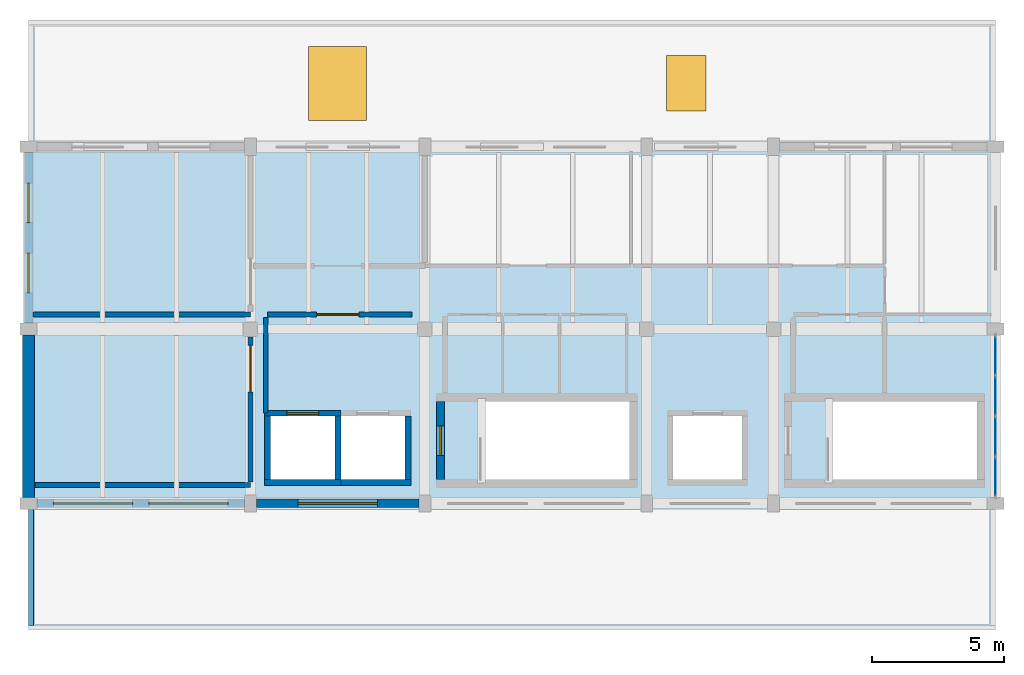
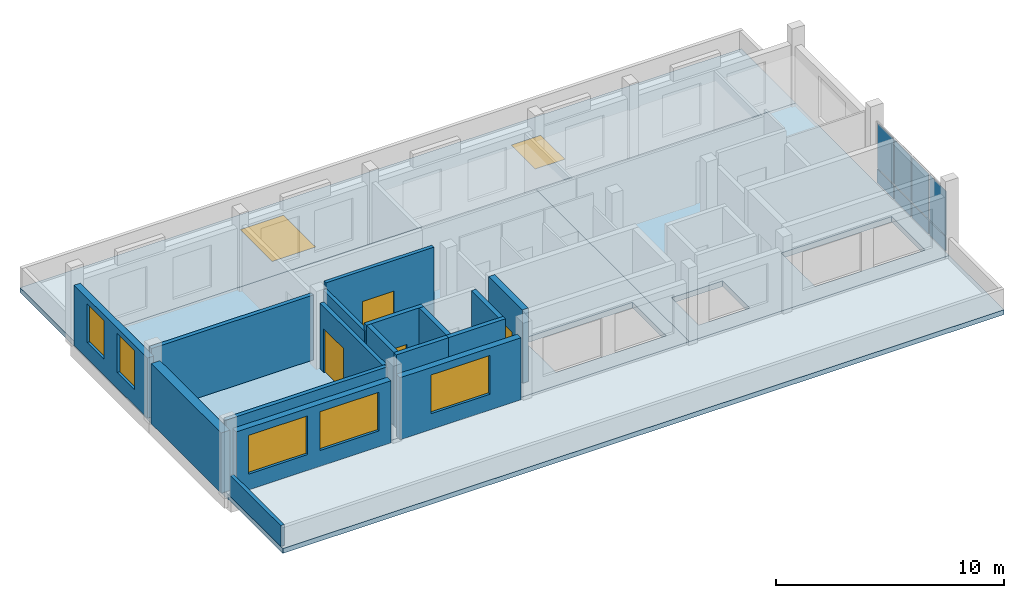
# One storey, part 3 of 6: 17 walls, 8 plates, 7 windows, 4 doors, 4 slabs, 11 openings, 1 element without a shape of its own.
"""IFC4 building model written with IfcOpenShell, lengths in metres."""

from ifc_helpers import new_model, si_unit, direction, frame, frame_2d, origin, origin_2d, place, context, subcontext, project, spatial, polyline, rectangle, outline, extrude, material, layer, layer_set, type_object, element, fill, aggregate, save


model = new_model("IFC4")

# Units and contexts
model_context = context("Model", 3, precision=1e-05, world=origin(), true_north=direction((0.0, 1.0)))
body_context = subcontext(model_context, "Body", "Model", "MODEL_VIEW")
ifc_project = project(units=[si_unit("LENGTHUNIT", "METRE"), si_unit("AREAUNIT", "SQUARE_METRE"), si_unit("VOLUMEUNIT", "CUBIC_METRE"), si_unit("PLANEANGLEUNIT", "RADIAN"), si_unit("MASSUNIT", "GRAM", prefix="KILO")], contexts=[model_context])

# Site, building, storey
site_placement = place(None, origin())
site = spatial("IfcSite", under=ifc_project, at=site_placement, CompositionType="ELEMENT")
building_placement = place(site_placement, origin())
building = spatial("IfcBuilding", under=site, at=building_placement, Name="Dornvale Research Institute", CompositionType="ELEMENT")
storey_placement = place(building_placement, frame((0.0, 0.0, 46.800048828125)))
storey = spatial("IfcBuildingStorey", under=building, at=storey_placement, Name="L10", CompositionType="ELEMENT", Elevation=46.800048828125)

# Curtain wall, plates
ifc_material_1 = material(Name="Low-E Argon Double Insulating Glazing Unit", Category="glass")
curtain_wall_type = type_object("IfcCurtainWallType", Name="UnitisedCurtainWall_V5_6150x3350", PredefinedType="USERDEFINED", material=ifc_material_1)
curtain_wall_placement = place(storey_placement, origin())
curtain_wall = element("IfcCurtainWall", 1, at=curtain_wall_placement, inside=storey, type_object=curtain_wall_type, Name="L10 V5 unitised curtain wall CW-34 #202", ObjectType="UNITISED CURTAIN WALL", PredefinedType="USERDEFINED")
ifc_material_2 = material(Name="Insulated Ceramic-Frit Spandrel Glass Panel", Category="glass")
ifc_layer_1 = layer(ifc_material_2, 0.0419921875)
ifc_layer_set_1 = layer_set([ifc_layer_1], Name="Insulated Ceramic-Frit Spandrel Glass Panel")
plate_type_1 = type_object("IfcPlateType", Name="CurtainPanel_Spandrel_42", PredefinedType="CURTAIN_PANEL", material=ifc_layer_set_1)
plate_1_placement = place(storey_placement, frame((41.39990234375, 109.389892578125, 0.06494140625), z_axis=(0.0, 0.0, 1.0), x_axis=(0.0, -1.0, 0.0)))
plate_1 = element("IfcPlate", 2, at=plate_1_placement, type_object=plate_type_1, Name="CW-34 panel 1.1", PredefinedType="CURTAIN_PANEL", context=body_context, shape_type="SweptSolid", body=[
    extrude(rectangle(XDim=1.43994140625, YDim=0.0419921875, at=origin_2d()), origin(), (0.0, 0.0, 1.0), 0.75244140625),
])
plate_2_placement = place(storey_placement, frame((41.39990234375, 107.86865234375, 0.06494140625), z_axis=(0.0, 0.0, 1.0), x_axis=(0.0, -1.0, 0.0)))
plate_2 = element("IfcPlate", 3, at=plate_2_placement, type_object=plate_type_1, Name="CW-34 panel 2.1", PredefinedType="CURTAIN_PANEL", context=body_context, shape_type="SweptSolid", body=[
    extrude(rectangle(XDim=1.472412109375, YDim=0.0419921875, at=origin_2d()), origin(), (0.0, 0.0, 1.0), 0.75244140625),
])
plate_3_placement = place(storey_placement, frame((41.39990234375, 106.331298828125, 0.06494140625), z_axis=(0.0, 0.0, 1.0), x_axis=(0.0, -1.0, 0.0)))
plate_3 = element("IfcPlate", 4, at=plate_3_placement, type_object=plate_type_1, Name="CW-34 panel 3.1", PredefinedType="CURTAIN_PANEL", context=body_context, shape_type="SweptSolid", body=[
    extrude(rectangle(XDim=1.472412109375, YDim=0.0419921875, at=origin_2d()), origin(), (0.0, 0.0, 1.0), 0.75244140625),
])
plate_4_placement = place(storey_placement, frame((41.39990234375, 104.81005859375, 0.06494140625), z_axis=(0.0, 0.0, 1.0), x_axis=(0.0, -1.0, 0.0)))
plate_4 = element("IfcPlate", 5, at=plate_4_placement, type_object=plate_type_1, Name="CW-34 panel 4.1", PredefinedType="CURTAIN_PANEL", context=body_context, shape_type="SweptSolid", body=[
    extrude(rectangle(XDim=1.43994140625, YDim=0.0419921875, at=origin_2d()), origin(), (0.0, 0.0, 1.0), 0.75244140625),
])
ifc_material_3 = material(Name="Low-E Argon Double Insulating Glazing Unit", Category="glass")
ifc_layer_2 = layer(ifc_material_3, 0.028076171875)
ifc_layer_set_2 = layer_set([ifc_layer_2], Name="Low-E Argon Double Insulating Glazing Unit")
plate_type_2 = type_object("IfcPlateType", Name="CurtainPanel_Vision_28", PredefinedType="CURTAIN_PANEL", material=ifc_layer_set_2)
plate_5_placement = place(storey_placement, frame((41.39990234375, 109.389892578125, 0.88232421875), z_axis=(0.0, 0.0, 1.0), x_axis=(0.0, -1.0, 0.0)))
plate_5 = element("IfcPlate", 6, at=plate_5_placement, type_object=plate_type_2, Name="CW-34 panel 1.2", PredefinedType="CURTAIN_PANEL", context=body_context, shape_type="SweptSolid", body=[
    extrude(rectangle(XDim=1.43994140625, YDim=0.028076171875, at=origin_2d()), origin(), (0.0, 0.0, 1.0), 2.402587890625),
])
plate_6_placement = place(storey_placement, frame((41.39990234375, 107.86865234375, 0.88232421875), z_axis=(0.0, 0.0, 1.0), x_axis=(0.0, -1.0, 0.0)))
plate_6 = element("IfcPlate", 7, at=plate_6_placement, type_object=plate_type_2, Name="CW-34 panel 2.2", PredefinedType="CURTAIN_PANEL", context=body_context, shape_type="SweptSolid", body=[
    extrude(rectangle(XDim=1.472412109375, YDim=0.028076171875, at=origin_2d()), origin(), (0.0, 0.0, 1.0), 2.402587890625),
])
plate_7_placement = place(storey_placement, frame((41.39990234375, 106.331298828125, 0.88232421875), z_axis=(0.0, 0.0, 1.0), x_axis=(0.0, -1.0, 0.0)))
plate_7 = element("IfcPlate", 8, at=plate_7_placement, type_object=plate_type_2, Name="CW-34 panel 3.2", PredefinedType="CURTAIN_PANEL", context=body_context, shape_type="SweptSolid", body=[
    extrude(rectangle(XDim=1.472412109375, YDim=0.028076171875, at=origin_2d()), origin(), (0.0, 0.0, 1.0), 2.402587890625),
])
plate_8_placement = place(storey_placement, frame((41.39990234375, 104.81005859375, 0.88232421875), z_axis=(0.0, 0.0, 1.0), x_axis=(0.0, -1.0, 0.0)))
plate_8 = element("IfcPlate", 9, at=plate_8_placement, type_object=plate_type_2, Name="CW-34 panel 4.2", PredefinedType="CURTAIN_PANEL", context=body_context, shape_type="SweptSolid", body=[
    extrude(rectangle(XDim=1.43994140625, YDim=0.028076171875, at=origin_2d()), origin(), (0.0, 0.0, 1.0), 2.402587890625),
])
aggregate(curtain_wall, [plate_1, plate_5, plate_2, plate_6, plate_3, plate_7, plate_4, plate_8])

# Slabs
ifc_material_4 = material(Name="Concrete f'c 45 MPa (C35/45)", Category="concrete")
ifc_layer_3 = layer(ifc_material_4, 0.300048828125)
ifc_layer_set_3 = layer_set([ifc_layer_3], Name="Concrete f'c 45 MPa (C35/45)")
slab_type_1 = type_object("IfcSlabType", Name="FloorSlab_DryLab_300", PredefinedType="FLOOR", material=ifc_layer_set_3)
slab_1_placement = place(storey_placement, frame((0.0, 0.0, -0.300048828125)))
element("IfcSlab", 10, at=slab_1_placement, inside=storey, type_object=slab_type_1, Name="L10 V5 W floor slab", PredefinedType="FLOOR", context=body_context, shape_type="SweptSolid", body=[
    extrude(outline(polyline([(4.800048828125, 103.800048828125), (4.800048828125, 117.300048828125), (28.199951171875, 117.300048828125), (28.199951171875, 103.800048828125), (4.800048828125, 103.800048828125)]), holes=[polyline([(21.949951171875, 104.699951171875), (27.550048828125, 104.699951171875), (27.550048828125, 107.659912109375), (21.949951171875, 107.659912109375), (21.949951171875, 104.699951171875)]), polyline([(13.949951171875, 104.699951171875), (16.39990234375, 104.699951171875), (16.39990234375, 107.10009765625), (13.949951171875, 107.10009765625), (13.949951171875, 104.699951171875)]), polyline([(16.60009765625, 104.699951171875), (19.050048828125, 104.699951171875), (19.050048828125, 107.10009765625), (16.60009765625, 107.10009765625), (16.60009765625, 104.699951171875)])]), origin(), (0.0, 0.0, 1.0), 0.300048828125),
])
slab_2_placement = place(storey_placement, frame((0.0, 0.0, -0.300048828125)))
element("IfcSlab", 11, at=slab_2_placement, inside=storey, type_object=slab_type_1, Name="L10 V5 E floor slab", PredefinedType="FLOOR", context=body_context, shape_type="SweptSolid", body=[
    extrude(outline(polyline([(41.39990234375, 117.300048828125), (41.39990234375, 103.800048828125), (28.199951171875, 103.800048828125), (28.199951171875, 117.300048828125), (41.39990234375, 117.300048828125)]), holes=[polyline([(35.10009765625, 104.699951171875), (40.699951171875, 104.699951171875), (40.699951171875, 107.659912109375), (35.10009765625, 107.659912109375), (35.10009765625, 104.699951171875)]), polyline([(29.199951171875, 104.699951171875), (31.800048828125, 104.699951171875), (31.800048828125, 107.10009765625), (29.199951171875, 107.10009765625), (29.199951171875, 104.699951171875)])]), origin(), (0.0, 0.0, 1.0), 0.300048828125),
])
ifc_material_5 = material(Name="Concrete f'c 45 MPa (C35/45)", Category="concrete")
ifc_layer_4 = layer(ifc_material_5, 0.260009765625)
ifc_layer_set_4 = layer_set([ifc_layer_4], Name="Concrete f'c 45 MPa (C35/45)")
slab_type_2 = type_object("IfcSlabType", Name="RoofSlab_Flat_260", PredefinedType="ROOF", material=ifc_layer_set_4)
slab_3_placement = place(storey_placement, frame((0.0, 0.0, -0.260009765625)))
element("IfcSlab", 12, at=slab_3_placement, inside=storey, type_object=slab_type_2, Name="L10 attic setback roof apron S", PredefinedType="ROOF", context=body_context, shape_type="SweptSolid", body=[
    extrude(outline(polyline([(4.800048828125, 99.0), (41.39990234375, 99.0), (41.39990234375, 103.800048828125), (4.800048828125, 103.800048828125), (4.800048828125, 99.0)])), origin(), (0.0, 0.0, 1.0), 0.260009765625),
])

# Slab, openings, windows
slab_4_placement = place(storey_placement, frame((0.0, 0.0, -0.260009765625)))
slab_4 = element("IfcSlab", 13, at=slab_4_placement, inside=storey, type_object=slab_type_2, Name="L10 attic setback roof apron N", PredefinedType="ROOF", context=body_context, shape_type="SweptSolid", body=[
    extrude(outline(polyline([(4.800048828125, 117.300048828125), (41.39990234375, 117.300048828125), (41.39990234375, 122.10009765625), (4.800048828125, 122.10009765625), (4.800048828125, 117.300048828125)])), origin(), (0.0, 0.0, 1.0), 0.260009765625),
])
opening_1_placement = place(slab_4_placement, frame((16.5, 119.699951171875, 0.0)))
opening_1 = element("IfcOpeningElement", 14, at=opening_1_placement, cuts=slab_4, Name="Opening SK-05", PredefinedType="OPENING", context=body_context, shape_type="SweptSolid", body=[
    extrude(rectangle(XDim=2.199951171875, YDim=2.800048828125, at=origin_2d()), origin(), (0.0, 0.0, 1.0), 0.260009765625),
])
opening_2_placement = place(slab_4_placement, frame((29.699951171875, 119.699951171875, 0.0)))
opening_2 = element("IfcOpeningElement", 15, at=opening_2_placement, cuts=slab_4, Name="Opening SK-06", PredefinedType="OPENING", context=body_context, shape_type="SweptSolid", body=[
    extrude(rectangle(XDim=1.5, YDim=2.10009765625, at=origin_2d()), origin(), (0.0, 0.0, 1.0), 0.260009765625),
])
ifc_material_6 = material(Name="Low-E Argon Double Insulating Glazing Unit", Category="glass")
window_type_1 = type_object("IfcWindowType", Name="Skylight_Alu_1500x2100", PartitioningType="SINGLE_PANEL", PredefinedType="SKYLIGHT", material=ifc_material_6)
window_1_placement = place(opening_2_placement, frame((0.0, 0.0, 0.2099609375)))
window_1 = element("IfcWindow", 16, at=window_1_placement, inside=storey, type_object=window_type_1, Name="L10 daylight skylight SK-06 #12", OverallHeight=2.10009765625, OverallWidth=1.5, PartitioningType="SINGLE_PANEL", PredefinedType="SKYLIGHT", context=body_context, shape_type="SweptSolid", body=[
    extrude(rectangle(XDim=1.5, YDim=2.10009765625, at=origin_2d()), origin(), (0.0, 0.0, 1.0), 0.050048828125),
])
fill(opening_2, window_1)
ifc_material_7 = material(Name="Low-E Argon Double Insulating Glazing Unit", Category="glass")
window_type_2 = type_object("IfcWindowType", Name="Skylight_Alu_2200x2800", PartitioningType="SINGLE_PANEL", PredefinedType="SKYLIGHT", material=ifc_material_7)
window_2_placement = place(opening_1_placement, frame((0.0, 0.0, 0.2099609375)))
window_2 = element("IfcWindow", 17, at=window_2_placement, inside=storey, type_object=window_type_2, Name="L10 daylight skylight SK-05 #11", OverallHeight=2.800048828125, OverallWidth=2.199951171875, PartitioningType="SINGLE_PANEL", PredefinedType="SKYLIGHT", context=body_context, shape_type="SweptSolid", body=[
    extrude(rectangle(XDim=2.199951171875, YDim=2.800048828125, at=origin_2d()), origin(), (0.0, 0.0, 1.0), 0.050048828125),
])
fill(opening_1, window_2)

# Wall
ifc_material_8 = material(Name="Concrete f'c 40 MPa (C32/40)", Category="concrete")
ifc_layer_5 = layer(ifc_material_8, 0.179931640625)
ifc_layer_set_5 = layer_set([ifc_layer_5], Name="Concrete f'c 40 MPa (C32/40)")
wall_type_1 = type_object("IfcWallType", Name="Parapet_Terrace_180", PredefinedType="PARAPET", material=ifc_layer_set_5)
wall_1_placement = place(storey_placement, frame((4.889892578125, 99.179931640625, 0.0), z_axis=(0.0, 0.0, 1.0), x_axis=(0.0, 1.0, 0.0)))
element("IfcWall", 18, at=wall_1_placement, inside=storey, type_object=wall_type_1, Name="L10 L10APR-S parapet W", PredefinedType="PARAPET", context=body_context, shape_type="SweptSolid", body=[
    extrude(rectangle(XDim=4.440185546875, YDim=0.179931640625, at=frame_2d((2.22021484375, 0.0))), origin(), (0.0, 0.0, 1.0), 1.119873046875),
])

# Wall, opening, door
ifc_material_9 = material(Name="Fire-Rated Gypsum Board on Cold-Formed Steel Studs", Category="steel")
ifc_layer_6 = layer(ifc_material_9, 0.179931640625)
ifc_layer_set_6 = layer_set([ifc_layer_6], Name="Fire-Rated Gypsum Board on Cold-Formed Steel Studs")
wall_type_2 = type_object("IfcWallType", Name="Partition_FireLobby_180", PredefinedType="PARTITIONING", material=ifc_layer_set_6)
wall_2_placement = place(storey_placement, frame((13.85009765625, 110.949951171875, 0.0), z_axis=(0.0, 0.0, 1.0), x_axis=(1.0, 0.0, 0.0)))
wall_2 = element("IfcWall", 19, at=wall_2_placement, inside=storey, type_object=wall_type_2, Name="L10 Fire Service Access Elevator Lobby north rated partition", PredefinedType="PARTITIONING", context=body_context, shape_type="SweptSolid", body=[
    extrude(rectangle(XDim=5.469970703125, YDim=0.179931640625, at=frame_2d((2.73486328125, 0.0))), origin(), (0.0, 0.0, 1.0), 3.89990234375),
])
opening_3_placement = place(wall_2_placement, frame((1.85009765625, 0.0, 0.0)))
opening_3 = element("IfcOpeningElement", 20, at=opening_3_placement, cuts=wall_2, Name="Opening FD-01", PredefinedType="OPENING", context=body_context, shape_type="SweptSolid", body=[
    extrude(rectangle(XDim=1.60009765625, YDim=2.25, at=frame_2d((0.800048828125, 1.125))), frame((0.0, 0.10498046875, 0.0), z_axis=(0.0, -1.0, 0.0), x_axis=(1.0, 0.0, 0.0)), (0.0, 0.0, 1.0), 0.2099609375),
])
ifc_material_10 = material(Name="Insulated Fire-Rated Hollow Metal Door Assembly")
door_type_1 = type_object("IfcDoorType", Name="Door_FireLobby_1600x2250", OperationType="SINGLE_SWING_LEFT", PredefinedType="DOOR", material=ifc_material_10)
door_1_placement = place(opening_3_placement, origin())
door_1 = element("IfcDoor", 21, at=door_1_placement, inside=storey, type_object=door_type_1, Name="L10 Fire Service Access Elevator Lobby door", OperationType="DOUBLE_DOOR_SINGLE_SWING", OverallHeight=2.25, OverallWidth=1.60009765625, PredefinedType="DOOR", context=body_context, shape_type="SweptSolid", body=[
    extrude(rectangle(XDim=1.60009765625, YDim=2.25, at=frame_2d((0.800048828125, 1.125))), frame((0.0, 0.02490234375, 0.0), z_axis=(0.0, -1.0, 0.0), x_axis=(1.0, 0.0, 0.0)), (0.0, 0.0, 1.0), 0.050048828125),
])
fill(opening_3, door_1)

# Walls
wall_3_placement = place(storey_placement, frame((13.780029296875, 107.22998046875, 0.0), z_axis=(0.0, 0.0, 1.0), x_axis=(0.0, 1.0, 0.0)))
element("IfcWall", 22, at=wall_3_placement, inside=storey, type_object=wall_type_2, Name="L10 Fire Service Access Elevator Lobby west rated partition", PredefinedType="PARTITIONING", context=body_context, shape_type="SweptSolid", body=[
    extrude(rectangle(XDim=3.610107421875, YDim=0.179931640625, at=frame_2d((1.80517578125, 0.0))), origin(), (0.0, 0.0, 1.0), 3.579833984375),
])
ifc_material_11 = material(Name="Fire-Rated Gypsum Board on Cold-Formed Steel Studs", Category="steel")
ifc_layer_7 = layer(ifc_material_11, 0.199951171875)
ifc_layer_set_7 = layer_set([ifc_layer_7], Name="Fire-Rated Gypsum Board on Cold-Formed Steel Studs")
wall_type_3 = type_object("IfcWallType", Name="Partition_FireWall_200", PredefinedType="PARTITIONING", material=ifc_layer_set_7)
wall_4_placement = place(storey_placement, frame((5.0400390625, 104.5, 0.0), z_axis=(0.0, 0.0, 1.0), x_axis=(1.0, 0.0, 0.0)))
element("IfcWall", 23, at=wall_4_placement, inside=storey, type_object=wall_type_3, Name="L10 V5 interior partition #611", PredefinedType="PARTITIONING", context=body_context, shape_type="SweptSolid", body=[
    extrude(rectangle(XDim=8.159912109375, YDim=0.199951171875, at=frame_2d((4.080078125, 0.0))), origin(), (0.0, 0.0, 1.0), 3.530029296875),
])
wall_5_placement = place(storey_placement, frame((4.97509765625, 110.949951171875, 0.0), z_axis=(0.0, 0.0, 1.0), x_axis=(1.0, 0.0, 0.0)))
element("IfcWall", 24, at=wall_5_placement, inside=storey, type_object=wall_type_3, Name="L10 V5 interior partition #612", PredefinedType="PARTITIONING", context=body_context, shape_type="SweptSolid", body=[
    extrude(rectangle(XDim=8.224853515625, YDim=0.199951171875, at=frame_2d((4.1123046875, 0.0))), origin(), (0.0, 0.0, 1.0), 3.47998046875),
])

# Wall, opening, door
wall_6_placement = place(storey_placement, frame((13.199951171875, 104.614990234375, 0.0), z_axis=(0.0, 0.0, 1.0), x_axis=(0.0, 1.0, 0.0)))
wall_6 = element("IfcWall", 25, at=wall_6_placement, inside=storey, type_object=wall_type_3, Name="L10 V5 interior partition #613", PredefinedType="PARTITIONING", context=body_context, shape_type="SweptSolid", body=[
    extrude(rectangle(XDim=5.489990234375, YDim=0.199951171875, at=frame_2d((2.7451171875, 0.0))), origin(), (0.0, 0.0, 1.0), 3.530029296875),
])
opening_4_placement = place(wall_6_placement, frame((3.405029296875, 0.0, 0.0)))
opening_4 = element("IfcOpeningElement", 26, at=opening_4_placement, cuts=wall_6, Name="Opening ID-14", PredefinedType="OPENING", context=body_context, shape_type="SweptSolid", body=[
    extrude(rectangle(XDim=1.760009765625, YDim=2.35009765625, at=frame_2d((0.8798828125, 1.175048828125))), frame((0.0, 0.114990234375, 0.0), z_axis=(0.0, -1.0, 0.0), x_axis=(1.0, 0.0, 0.0)), (0.0, 0.0, 1.0), 0.22998046875),
])
ifc_material_12 = material(Name="Insulated Fire-Rated Hollow Metal Door Assembly")
door_type_2 = type_object("IfcDoorType", Name="Door_Plant_1760x2350", OperationType="SINGLE_SWING_LEFT", PredefinedType="DOOR", material=ifc_material_12)
door_2_placement = place(opening_4_placement, origin())
door_2 = element("IfcDoor", 27, at=door_2_placement, inside=storey, type_object=door_type_2, Name="L10 Standby Emergency Distribution Switchboard Room door #262", OperationType="DOUBLE_DOOR_SINGLE_SWING", OverallHeight=2.35009765625, OverallWidth=1.760009765625, PredefinedType="DOOR", context=body_context, shape_type="SweptSolid", body=[
    extrude(rectangle(XDim=1.760009765625, YDim=2.35009765625, at=frame_2d((0.8798828125, 1.175048828125))), frame((0.0, 0.02490234375, 0.0), z_axis=(0.0, -1.0, 0.0), x_axis=(1.0, 0.0, 0.0)), (0.0, 0.0, 1.0), 0.050048828125),
])
fill(opening_4, door_2)

ifc_material_13 = material(Name="Concrete f'c 50 MPa (C40/50)", Category="concrete")
ifc_layer_8 = layer(ifc_material_13, 0.300048828125)
ifc_layer_set_8 = layer_set([ifc_layer_8], Name="Concrete f'c 50 MPa (C40/50)")
wall_type_4 = type_object("IfcWallType", Name="ShearWall_Core_300", PredefinedType="SHEAR", material=ifc_layer_set_8)
wall_7_placement = place(storey_placement, frame((20.39990234375, 104.699951171875, 0.0), z_axis=(0.0, 0.0, 1.0), x_axis=(0.0, 1.0, 0.0)))
wall_7 = element("IfcWall", 28, at=wall_7_placement, inside=storey, type_object=wall_type_4, Name="L10 ST-1 shaft shear wall west", PredefinedType="SHEAR", context=body_context, shape_type="SweptSolid", body=[
    extrude(rectangle(XDim=2.9599609375, YDim=0.300048828125, at=frame_2d((1.47998046875, 0.0))), origin(), (0.0, 0.0, 1.0), 3.93994140625),
])
opening_5_placement = place(wall_7_placement, frame((0.919921875, 0.0, 0.0)))
opening_5 = element("IfcOpeningElement", 29, at=opening_5_placement, cuts=wall_7, Name="Opening SD-01", PredefinedType="OPENING", context=body_context, shape_type="SweptSolid", body=[
    extrude(rectangle(XDim=1.1201171875, YDim=2.199951171875, at=frame_2d((0.56005859375, 1.10009765625))), frame((0.0, 0.1650390625, 0.0), z_axis=(0.0, -1.0, 0.0), x_axis=(1.0, 0.0, 0.0)), (0.0, 0.0, 1.0), 0.330078125),
])
ifc_material_14 = material(Name="Insulated Fire-Rated Hollow Metal Door Assembly")
door_type_3 = type_object("IfcDoorType", Name="Door_Stair_1120x2200", OperationType="SINGLE_SWING_LEFT", PredefinedType="DOOR", material=ifc_material_14)
door_3_placement = place(opening_5_placement, origin())
door_3 = element("IfcDoor", 30, at=door_3_placement, inside=storey, type_object=door_type_3, Name="L10 ST-1 exit stair door #12", OperationType="SINGLE_SWING_RIGHT", OverallHeight=2.199951171875, OverallWidth=1.1201171875, PredefinedType="DOOR", context=body_context, shape_type="SweptSolid", body=[
    extrude(rectangle(XDim=1.1201171875, YDim=2.199951171875, at=frame_2d((0.56005859375, 1.10009765625))), frame((0.0, 0.02490234375, 0.0), z_axis=(0.0, -1.0, 0.0), x_axis=(1.0, 0.0, 0.0)), (0.0, 0.0, 1.0), 0.050048828125),
])
fill(opening_5, door_3)

# Wall
ifc_material_15 = material(Name="Concrete f'c 45 MPa (C35/45)", Category="concrete")
ifc_layer_9 = layer(ifc_material_15, 0.219970703125)
ifc_layer_set_9 = layer_set([ifc_layer_9], Name="Concrete f'c 45 MPa (C35/45)")
wall_type_5 = type_object("IfcWallType", Name="ShearWall_Shaft_220", PredefinedType="SHEAR", material=ifc_layer_set_9)
wall_8_placement = place(storey_placement, frame((13.72998046875, 104.590087890625, 0.0), z_axis=(0.0, 0.0, 1.0), x_axis=(1.0, 0.0, 0.0)))
element("IfcWall", 31, at=wall_8_placement, inside=storey, type_object=wall_type_5, Name="L10 FS1 elevator shaft wall south", PredefinedType="SHEAR", context=body_context, shape_type="SweptSolid", body=[
    extrude(rectangle(XDim=2.89013671875, YDim=0.219970703125, at=frame_2d((1.445068359375, 0.0))), origin(), (0.0, 0.0, 1.0), 3.93994140625),
])

# Wall, opening, door
wall_9_placement = place(storey_placement, frame((13.72998046875, 107.2099609375, 0.0), z_axis=(0.0, 0.0, 1.0), x_axis=(1.0, 0.0, 0.0)))
wall_9 = element("IfcWall", 32, at=wall_9_placement, inside=storey, type_object=wall_type_5, Name="L10 FS1 elevator shaft wall north", PredefinedType="SHEAR", context=body_context, shape_type="SweptSolid", body=[
    extrude(rectangle(XDim=2.89013671875, YDim=0.219970703125, at=frame_2d((1.445068359375, 0.0))), origin(), (0.0, 0.0, 1.0), 3.93994140625),
])
opening_6_placement = place(wall_9_placement, frame((0.844970703125, 0.0, 0.0)))
opening_6 = element("IfcOpeningElement", 33, at=opening_6_placement, cuts=wall_9, Name="Opening LD-01", PredefinedType="OPENING", context=body_context, shape_type="SweptSolid", body=[
    extrude(rectangle(XDim=1.199951171875, YDim=2.199951171875, at=frame_2d((0.60009765625, 1.10009765625))), frame((0.0, 0.125, 0.0), z_axis=(0.0, -1.0, 0.0), x_axis=(1.0, 0.0, 0.0)), (0.0, 0.0, 1.0), 0.25),
])
ifc_material_16 = material(Name="Brushed Stainless Steel Sliding Elevator Landing Door", Category="steel")
door_type_4 = type_object("IfcDoorType", Name="Door_LiftLanding_FSAE_1200x2200", OperationType="SINGLE_SWING_LEFT", PredefinedType="DOOR", material=ifc_material_16)
door_4_placement = place(opening_6_placement, origin())
door_4 = element("IfcDoor", 34, at=door_4_placement, inside=storey, type_object=door_type_4, Name="L10 FS1 sliding elevator landing door #12", OperationType="DOUBLE_DOOR_SLIDING", OverallHeight=2.199951171875, OverallWidth=1.199951171875, PredefinedType="DOOR", context=body_context, shape_type="SweptSolid", body=[
    extrude(rectangle(XDim=1.199951171875, YDim=2.199951171875, at=frame_2d((0.60009765625, 1.10009765625))), frame((0.0, 0.02490234375, 0.0), z_axis=(0.0, -1.0, 0.0), x_axis=(1.0, 0.0, 0.0)), (0.0, 0.0, 1.0), 0.050048828125),
])
fill(opening_6, door_4)

# Walls
for number, where, z_axis, x_axis, name in (
    (35, (13.840087890625, 104.699951171875, 0.0), (0.0, 0.0, 1.0), (0.0, 1.0, 0.0), "L10 FS1 elevator shaft wall west"),
    (36, (16.510009765625, 104.699951171875, 0.0), (0.0, 0.0, 1.0), (0.0, 1.0, 0.0), "L10 FS1 elevator shaft wall east"),
):
    element("IfcWall", number, at=place(storey_placement, frame(where, z_axis=z_axis, x_axis=x_axis)), inside=storey, type_object=wall_type_5, Name=name, PredefinedType="SHEAR", context=body_context, shape_type="SweptSolid", body=[
        extrude(rectangle(XDim=2.400146484375, YDim=0.219970703125, at=frame_2d((1.2001953125, 0.0))), origin(), (0.0, 0.0, 1.0), 3.93994140625),
    ])
wall_10_placement = place(storey_placement, frame((16.3798828125, 104.590087890625, 0.0), z_axis=(0.0, 0.0, 1.0), x_axis=(1.0, 0.0, 0.0)))
element("IfcWall", 37, at=wall_10_placement, inside=storey, type_object=wall_type_5, Name="L10 FS2 elevator shaft wall south", PredefinedType="SHEAR", context=body_context, shape_type="SweptSolid", body=[
    extrude(rectangle(XDim=2.89013671875, YDim=0.219970703125, at=frame_2d((1.445068359375, 0.0))), origin(), (0.0, 0.0, 1.0), 3.93994140625),
])
wall_11_placement = place(storey_placement, frame((19.159912109375, 104.699951171875, 0.0), z_axis=(0.0, 0.0, 1.0), x_axis=(0.0, 1.0, 0.0)))
element("IfcWall", 38, at=wall_11_placement, inside=storey, type_object=wall_type_5, Name="L10 FS2 elevator shaft wall east", PredefinedType="SHEAR", context=body_context, shape_type="SweptSolid", body=[
    extrude(rectangle(XDim=2.400146484375, YDim=0.219970703125, at=frame_2d((1.2001953125, 0.0))), origin(), (0.0, 0.0, 1.0), 3.93994140625),
])
ifc_material_17 = material(Name="Precast Concrete f'c 40 MPa (C32/40) and Glazed Terracotta Backup Wall", Category="masonry")
ifc_layer_10 = layer(ifc_material_17, 0.449951171875)
ifc_layer_set_10 = layer_set([ifc_layer_10], Name="Precast Concrete f'c 40 MPa (C32/40) and Glazed Terracotta Backup Wall")
wall_type_6 = type_object("IfcWallType", Name="SolidWall_ShearBraceBay_450", PredefinedType="SOLIDWALL", material=ifc_layer_set_10)
wall_12_placement = place(storey_placement, frame((4.800048828125, 104.02490234375, 0.0), z_axis=(0.0, 0.0, 1.0), x_axis=(0.0, 1.0, 0.0)))
element("IfcWall", 39, at=wall_12_placement, inside=storey, type_object=wall_type_6, Name="L10 V5 west exterior wall #414", PredefinedType="SOLIDWALL", context=body_context, shape_type="SweptSolid", body=[
    extrude(rectangle(XDim=6.150146484375, YDim=0.449951171875, at=frame_2d((3.0751953125, 0.0))), origin(), (0.0, 0.0, 1.0), 3.22998046875),
])

# Wall, openings, windows
ifc_material_18 = material(Name="Catalan Pressed Brick and Insulated Cavity Assembly", Category="masonry")
ifc_layer_11 = layer(ifc_material_18, 0.320068359375)
ifc_layer_set_11 = layer_set([ifc_layer_11], Name="Catalan Pressed Brick and Insulated Cavity Assembly")
wall_type_7 = type_object("IfcWallType", Name="StandardWall_BrickCavity_320", PredefinedType="STANDARD", material=ifc_layer_set_11)
wall_13_placement = place(storey_placement, frame((4.800048828125, 110.625, 0.0), z_axis=(0.0, 0.0, 1.0), x_axis=(0.0, 1.0, 0.0)))
wall_13 = element("IfcWall", 40, at=wall_13_placement, inside=storey, type_object=wall_type_7, Name="L10 V5 west exterior wall #415", PredefinedType="STANDARD", context=body_context, shape_type="SweptSolid", body=[
    extrude(rectangle(XDim=6.449951171875, YDim=0.320068359375, at=frame_2d((3.22509765625, 0.0))), origin(), (0.0, 0.0, 1.0), 3.22998046875),
])
opening_7_placement = place(wall_13_placement, frame((1.14990234375, 0.0, 0.85009765625)))
opening_7 = element("IfcOpeningElement", 41, at=opening_7_placement, cuts=wall_13, Name="Opening W-39", PredefinedType="OPENING", context=body_context, shape_type="SweptSolid", body=[
    extrude(rectangle(XDim=1.5, YDim=2.080078125, at=frame_2d((0.75, 1.0400390625))), frame((0.0, 0.175048828125, 0.0), z_axis=(0.0, -1.0, 0.0), x_axis=(1.0, 0.0, 0.0)), (0.0, 0.0, 1.0), 0.35009765625),
])
opening_8_placement = place(wall_13_placement, frame((3.800048828125, 0.0, 0.85009765625)))
opening_8 = element("IfcOpeningElement", 42, at=opening_8_placement, cuts=wall_13, Name="Opening W-39", PredefinedType="OPENING", context=body_context, shape_type="SweptSolid", body=[
    extrude(rectangle(XDim=1.5, YDim=2.080078125, at=frame_2d((0.75, 1.0400390625))), frame((0.0, 0.175048828125, 0.0), z_axis=(0.0, -1.0, 0.0), x_axis=(1.0, 0.0, 0.0)), (0.0, 0.0, 1.0), 0.35009765625),
])
ifc_material_19 = material(Name="Low-E Argon Double Insulating Glazing Unit", Category="glass")
window_type_3 = type_object("IfcWindowType", Name="Window_Alu_1500x2080_39", PartitioningType="SINGLE_PANEL", PredefinedType="WINDOW", material=ifc_material_19)
window_3_placement = place(opening_7_placement, origin())
window_3 = element("IfcWindow", 43, at=window_3_placement, inside=storey, type_object=window_type_3, Name="L10 V5 facade window W-39 #552", OverallHeight=2.080078125, OverallWidth=1.5, PartitioningType="SINGLE_PANEL", PredefinedType="WINDOW", context=body_context, shape_type="SweptSolid", body=[
    extrude(rectangle(XDim=1.5, YDim=2.080078125, at=frame_2d((0.75, 1.0400390625))), frame((0.0, 0.030029296875, 0.0), z_axis=(0.0, -1.0, 0.0), x_axis=(1.0, 0.0, 0.0)), (0.0, 0.0, 1.0), 0.06005859375),
])
fill(opening_7, window_3)
window_4_placement = place(opening_8_placement, origin())
window_4 = element("IfcWindow", 44, at=window_4_placement, inside=storey, type_object=window_type_3, Name="L10 V5 facade window W-39 #553", OverallHeight=2.080078125, OverallWidth=1.5, PartitioningType="SINGLE_PANEL", PredefinedType="WINDOW", context=body_context, shape_type="SweptSolid", body=[
    extrude(rectangle(XDim=1.5, YDim=2.080078125, at=frame_2d((0.75, 1.0400390625))), frame((0.0, 0.030029296875, 0.0), z_axis=(0.0, -1.0, 0.0), x_axis=(1.0, 0.0, 0.0)), (0.0, 0.0, 1.0), 0.06005859375),
])
fill(opening_8, window_4)

# Wall, opening, window
wall_14_placement = place(storey_placement, frame((19.574951171875, 103.800048828125, 0.0), z_axis=(0.0, 0.0, 1.0), x_axis=(-1.0, 0.0, 0.0)))
wall_14 = element("IfcWall", 45, at=wall_14_placement, inside=storey, type_object=wall_type_7, Name="L10 V5 south exterior wall #425", PredefinedType="STANDARD", context=body_context, shape_type="SweptSolid", body=[
    extrude(rectangle(XDim=6.14990234375, YDim=0.320068359375, at=frame_2d((3.074951171875, 0.0))), origin(), (0.0, 0.0, 1.0), 3.329833984375),
])
opening_9_placement = place(wall_14_placement, frame((1.574951171875, 0.0, 0.85009765625)))
opening_9 = element("IfcOpeningElement", 46, at=opening_9_placement, cuts=wall_14, Name="Opening W-48", PredefinedType="OPENING", context=body_context, shape_type="SweptSolid", body=[
    extrude(rectangle(XDim=3.0, YDim=2.080078125, at=frame_2d((1.5, 1.0400390625))), frame((0.0, 0.175048828125, 0.0), z_axis=(0.0, -1.0, 0.0), x_axis=(1.0, 0.0, 0.0)), (0.0, 0.0, 1.0), 0.35009765625),
])
ifc_material_20 = material(Name="Low-E Argon Double Insulating Glazing Unit", Category="glass")
window_type_4 = type_object("IfcWindowType", Name="Window_Alu_3000x2080_48", PartitioningType="DOUBLE_PANEL_VERTICAL", PredefinedType="WINDOW", material=ifc_material_20)
window_5_placement = place(opening_9_placement, origin())
window_5 = element("IfcWindow", 47, at=window_5_placement, inside=storey, type_object=window_type_4, Name="L10 V5 facade window W-48 #569", OverallHeight=2.080078125, OverallWidth=3.0, PartitioningType="DOUBLE_PANEL_VERTICAL", PredefinedType="WINDOW", context=body_context, shape_type="SweptSolid", body=[
    extrude(rectangle(XDim=3.0, YDim=2.080078125, at=frame_2d((1.5, 1.0400390625))), frame((0.0, 0.030029296875, 0.0), z_axis=(0.0, -1.0, 0.0), x_axis=(1.0, 0.0, 0.0)), (0.0, 0.0, 1.0), 0.06005859375),
])
fill(opening_9, window_5)

# Wall, openings, windows
wall_15_placement = place(storey_placement, frame((12.97509765625, 103.800048828125, 0.0), z_axis=(0.0, 0.0, 1.0), x_axis=(-1.0, 0.0, 0.0)))
wall_15 = element("IfcWall", 48, at=wall_15_placement, inside=storey, type_object=wall_type_7, Name="L10 V5 south exterior wall #426", PredefinedType="STANDARD", context=body_context, shape_type="SweptSolid", body=[
    extrude(rectangle(XDim=7.85009765625, YDim=0.320068359375, at=frame_2d((3.925048828125, 0.0))), origin(), (0.0, 0.0, 1.0), 3.329833984375),
])
opening_10_placement = place(wall_15_placement, frame((0.61669921875, 0.0, 0.85009765625)))
opening_10 = element("IfcOpeningElement", 49, at=opening_10_placement, cuts=wall_15, Name="Opening W-48", PredefinedType="OPENING", context=body_context, shape_type="SweptSolid", body=[
    extrude(rectangle(XDim=3.0, YDim=2.080078125, at=frame_2d((1.5, 1.0400390625))), frame((0.0, 0.175048828125, 0.0), z_axis=(0.0, -1.0, 0.0), x_axis=(1.0, 0.0, 0.0)), (0.0, 0.0, 1.0), 0.35009765625),
])
opening_11_placement = place(wall_15_placement, frame((4.2333984375, 0.0, 0.85009765625)))
opening_11 = element("IfcOpeningElement", 50, at=opening_11_placement, cuts=wall_15, Name="Opening W-48", PredefinedType="OPENING", context=body_context, shape_type="SweptSolid", body=[
    extrude(rectangle(XDim=3.0, YDim=2.080078125, at=frame_2d((1.5, 1.0400390625))), frame((0.0, 0.175048828125, 0.0), z_axis=(0.0, -1.0, 0.0), x_axis=(1.0, 0.0, 0.0)), (0.0, 0.0, 1.0), 0.35009765625),
])
window_6_placement = place(opening_10_placement, origin())
window_6 = element("IfcWindow", 51, at=window_6_placement, inside=storey, type_object=window_type_4, Name="L10 V5 facade window W-48 #570", OverallHeight=2.080078125, OverallWidth=3.0, PartitioningType="DOUBLE_PANEL_VERTICAL", PredefinedType="WINDOW", context=body_context, shape_type="SweptSolid", body=[
    extrude(rectangle(XDim=3.0, YDim=2.080078125, at=frame_2d((1.5, 1.0400390625))), frame((0.0, 0.030029296875, 0.0), z_axis=(0.0, -1.0, 0.0), x_axis=(1.0, 0.0, 0.0)), (0.0, 0.0, 1.0), 0.06005859375),
])
fill(opening_10, window_6)
window_7_placement = place(opening_11_placement, origin())
window_7 = element("IfcWindow", 52, at=window_7_placement, inside=storey, type_object=window_type_4, Name="L10 V5 facade window W-48 #571", OverallHeight=2.080078125, OverallWidth=3.0, PartitioningType="DOUBLE_PANEL_VERTICAL", PredefinedType="WINDOW", context=body_context, shape_type="SweptSolid", body=[
    extrude(rectangle(XDim=3.0, YDim=2.080078125, at=frame_2d((1.5, 1.0400390625))), frame((0.0, 0.030029296875, 0.0), z_axis=(0.0, -1.0, 0.0), x_axis=(1.0, 0.0, 0.0)), (0.0, 0.0, 1.0), 0.06005859375),
])
fill(opening_11, window_7)

save(model, "model.ifc")
